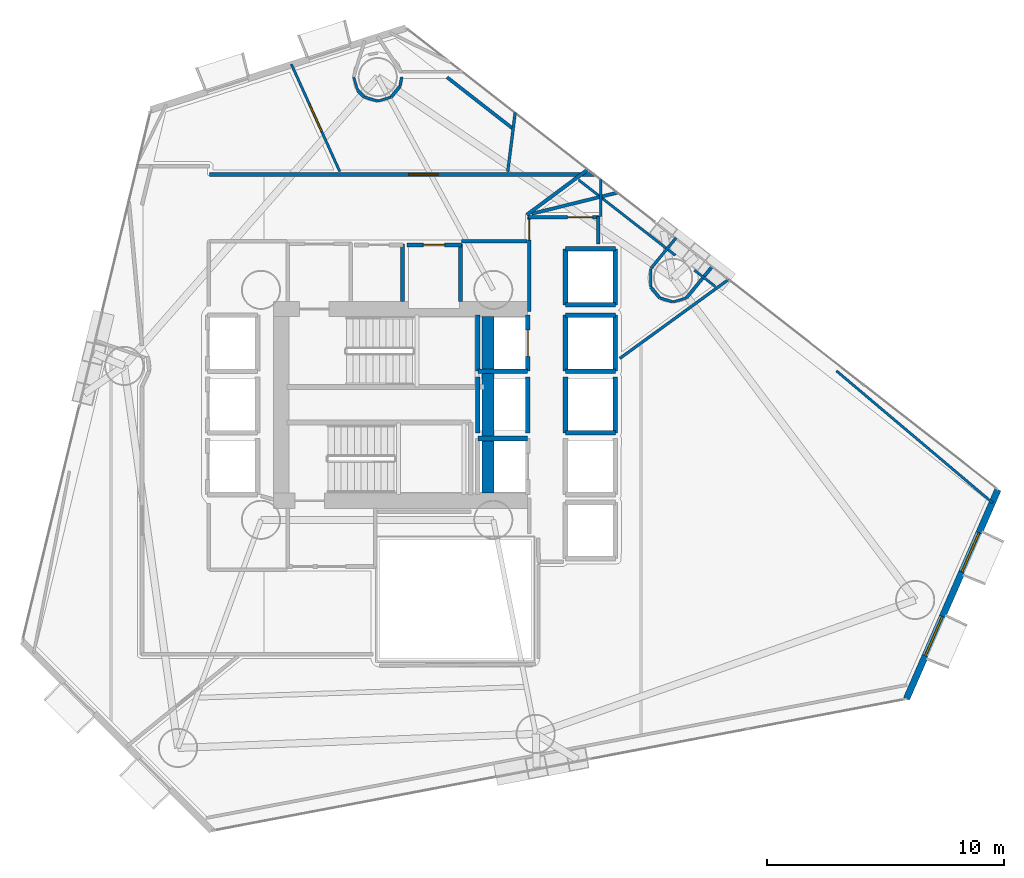
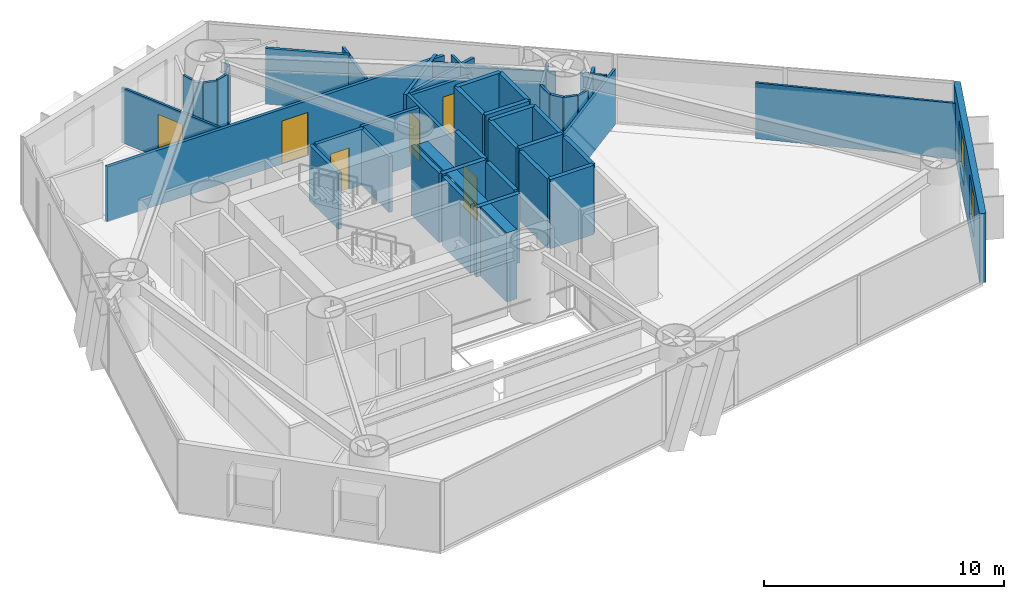
# One storey, part 18 of 23: 49 walls, 6 doors, 2 windows, 8 openings.
"""IFC4 building model written with IfcOpenShell, lengths in metres."""

from ifc_helpers import new_model, si_unit, direction, frame, frame_2d, origin, place, context, subcontext, project, spatial, rectangle, extrude, material, layer, layer_set, type_object, element, fill, save


model = new_model("IFC4")

# Units and contexts
model_context = context("Model", 3, precision=1e-05, world=origin(), true_north=direction((0.0, 1.0)))
body_context = subcontext(model_context, "Body", "Model", "MODEL_VIEW")
ifc_project = project(units=[si_unit("LENGTHUNIT", "METRE"), si_unit("AREAUNIT", "SQUARE_METRE"), si_unit("VOLUMEUNIT", "CUBIC_METRE"), si_unit("PLANEANGLEUNIT", "RADIAN"), si_unit("MASSUNIT", "GRAM", prefix="KILO")], contexts=[model_context])

# Site, building, storey
site_placement = place(None, origin())
site = spatial("IfcSite", under=ifc_project, at=site_placement, CompositionType="ELEMENT")
building_placement = place(site_placement, origin())
building = spatial("IfcBuilding", under=site, at=building_placement, Name="Qianvela Tower", CompositionType="ELEMENT")
storey_placement = place(building_placement, frame((0.0, 0.0, 85.800048828125)))
storey = spatial("IfcBuildingStorey", under=building, at=storey_placement, Name="L21", CompositionType="ELEMENT", Elevation=85.800048828125)

# Wall, openings, windows
ifc_material_1 = material(Name="Terracotta Cladding on Concrete C40", Category="masonry")
ifc_layer_1 = layer(ifc_material_1, 0.280029296875)
ifc_layer_set_1 = layer_set([ifc_layer_1], Name="Terracotta Cladding on Concrete C40")
wall_type_1 = type_object("IfcWallType", Name="TERRACOTTA-WALL-280", PredefinedType="SOLIDWALL", material=ifc_layer_set_1)
wall_1_placement = place(storey_placement, frame((55.830078125, 16.2939453125, 0.0), z_axis=(0.0, 0.0, 1.0), x_axis=(0.400721799371, 0.916199781439, 0.0)))
wall_1 = element("IfcWall", 1, at=wall_1_placement, inside=storey, type_object=wall_type_1, Name="L21 Terracotta Chamfer Facet Wall 1", PredefinedType="SOLIDWALL", context=body_context, shape_type="SweptSolid", body=[
    extrude(rectangle(XDim=9.63525390625, YDim=0.280029296875, at=frame_2d((4.817626953125, 0.0))), origin(), (0.0, 0.0, 1.0), 3.52001953125),
])
opening_1_placement = place(wall_1_placement, frame((1.990478515625, 0.0, 0.85009765625)))
opening_1 = element("IfcOpeningElement", 2, at=opening_1_placement, cuts=wall_1, Name="Opening W-01", PredefinedType="OPENING", context=body_context, shape_type="SweptSolid", body=[
    extrude(rectangle(XDim=1.800048828125, YDim=2.10009765625, at=frame_2d((0.89990234375, 1.050048828125))), frame((0.0, 0.14990234375, 0.0), z_axis=(0.0, -1.0, 0.0), x_axis=(1.0, 0.0, 0.0)), (0.0, 0.0, 1.0), 0.300048828125),
])
opening_2_placement = place(wall_1_placement, frame((5.8447265625, 0.0, 0.85009765625)))
opening_2 = element("IfcOpeningElement", 3, at=opening_2_placement, cuts=wall_1, Name="Opening W-01", PredefinedType="OPENING", context=body_context, shape_type="SweptSolid", body=[
    extrude(rectangle(XDim=1.800048828125, YDim=2.10009765625, at=frame_2d((0.89990234375, 1.050048828125))), frame((0.0, 0.14990234375, 0.0), z_axis=(0.0, -1.0, 0.0), x_axis=(1.0, 0.0, 0.0)), (0.0, 0.0, 1.0), 0.300048828125),
])
ifc_material_2 = material(Name="Thermally Broken Aluminium and Low-E Glass", Category="aluminium")
window_type = type_object("IfcWindowType", Name="WIN-TC-1800x2100", PartitioningType="DOUBLE_PANEL_VERTICAL", PredefinedType="WINDOW", material=ifc_material_2)
window_1_placement = place(opening_1_placement, origin())
window_1 = element("IfcWindow", 4, at=window_1_placement, inside=storey, type_object=window_type, Name="L21 Chamfer Facet Window 1.1", OverallHeight=2.10009765625, OverallWidth=1.800048828125, PartitioningType="SINGLE_PANEL", PredefinedType="WINDOW", context=body_context, shape_type="SweptSolid", body=[
    extrude(rectangle(XDim=1.800048828125, YDim=2.10009765625, at=frame_2d((0.89990234375, 1.050048828125))), frame((0.0, 0.030029296875, 0.0), z_axis=(0.0, -1.0, 0.0), x_axis=(1.0, 0.0, 0.0)), (0.0, 0.0, 1.0), 0.06005859375),
])
fill(opening_1, window_1)
window_2_placement = place(opening_2_placement, origin())
window_2 = element("IfcWindow", 5, at=window_2_placement, inside=storey, type_object=window_type, Name="L21 Chamfer Facet Window 1.2", OverallHeight=2.10009765625, OverallWidth=1.800048828125, PartitioningType="SINGLE_PANEL", PredefinedType="WINDOW", context=body_context, shape_type="SweptSolid", body=[
    extrude(rectangle(XDim=1.800048828125, YDim=2.10009765625, at=frame_2d((0.89990234375, 1.050048828125))), frame((0.0, 0.030029296875, 0.0), z_axis=(0.0, -1.0, 0.0), x_axis=(1.0, 0.0, 0.0)), (0.0, 0.0, 1.0), 0.06005859375),
])
fill(opening_2, window_2)

# Wall
ifc_material_3 = material(Name="Concrete C60", Category="concrete")
ifc_layer_2 = layer(ifc_material_3, 0.64990234375)
ifc_layer_set_2 = layer_set([ifc_layer_2], Name="Concrete C60")
wall_type_2 = type_object("IfcWallType", Name="WT-CORE-650", PredefinedType="SHEAR", material=ifc_layer_set_2)
wall_2_placement = place(storey_placement, frame((38.179931640625, 24.97998046875, 0.0), z_axis=(0.0, 0.0, 1.0), x_axis=(0.0, 1.0, 0.0)))
element("IfcWall", 6, at=wall_2_placement, inside=storey, type_object=wall_type_2, Name="L21 East Spine Core Shear Wall", PredefinedType="SHEAR", context=body_context, shape_type="SweptSolid", body=[
    extrude(rectangle(XDim=7.43994140625, YDim=0.5, at=frame_2d((3.719970703125, 0.0))), origin(), (0.0, 0.0, 1.0), 3.52001953125),
])

# Wall, opening, door
ifc_material_4 = material(Name="Fire-Rated Acoustic Gypsum Board")
ifc_layer_3 = layer(ifc_material_4, 0.14990234375)
ifc_layer_set_3 = layer_set([ifc_layer_3], Name="Fire-Rated Acoustic Gypsum Board")
wall_type_3 = type_object("IfcWallType", Name="WT-CORR-150", PredefinedType="PARTITIONING", material=ifc_layer_set_3)
wall_3_placement = place(storey_placement, frame((39.910888671875, 32.639892578125, 0.0), z_axis=(0.0, 0.0, 1.0), x_axis=(0.0, 1.0, 0.0)))
wall_3 = element("IfcWall", 7, at=wall_3_placement, inside=storey, type_object=wall_type_3, Name="L21 Partition 10", PredefinedType="PARTITIONING", context=body_context, shape_type="SweptSolid", body=[
    extrude(rectangle(XDim=4.010009765625, YDim=0.14990234375, at=frame_2d((2.0048828125, 0.0))), origin(), (0.0, 0.0, 1.0), 2.83984375),
])
opening_3_placement = place(wall_3_placement, frame((3.010009765625, 0.0, 0.0)))
opening_3 = element("IfcOpeningElement", 8, at=opening_3_placement, cuts=wall_3, Name="Opening D-LB2", PredefinedType="OPENING", context=body_context, shape_type="SweptSolid", body=[
    extrude(rectangle(XDim=0.860107421875, YDim=2.050048828125, at=frame_2d((0.43017578125, 1.02490234375))), frame((0.0, 0.0849609375, 0.0), z_axis=(0.0, -1.0, 0.0), x_axis=(1.0, 0.0, 0.0)), (0.0, 0.0, 1.0), 0.169921875),
])
ifc_material_5 = material(Name="Insulated Steel Fire Door Q355B", Category="steel")
door_type_1 = type_object("IfcDoorType", Name="DT-LOBBY-FD90-860", OperationType="NOTDEFINED", PredefinedType="DOOR", material=ifc_material_5)
door_1_placement = place(opening_3_placement, origin())
door_1 = element("IfcDoor", 9, at=door_1_placement, inside=storey, type_object=door_type_1, Name="L21 Door L21 Lift Lobby to L21 Floor Corridor", OperationType="SINGLE_SWING_RIGHT", OverallHeight=2.050048828125, OverallWidth=0.860107421875, PredefinedType="DOOR", context=body_context, shape_type="SweptSolid", body=[
    extrude(rectangle(XDim=0.860107421875, YDim=2.050048828125, at=frame_2d((0.43017578125, 1.02490234375))), frame((0.0, 0.02490234375, 0.0), z_axis=(0.0, -1.0, 0.0), x_axis=(1.0, 0.0, 0.0)), (0.0, 0.0, 1.0), 0.050048828125),
])
fill(opening_3, door_1)

wall_4_placement = place(storey_placement, frame((39.8798828125, 36.618896484375, 0.0), z_axis=(0.0, 0.0, 1.0), x_axis=(1.0, 0.0, 0.0)))
wall_4 = element("IfcWall", 10, at=wall_4_placement, inside=storey, type_object=wall_type_3, Name="L21 Partition 11", PredefinedType="PARTITIONING", context=body_context, shape_type="SweptSolid", body=[
    extrude(rectangle(XDim=2.97021484375, YDim=0.14990234375, at=frame_2d((1.485107421875, 0.0))), origin(), (0.0, 0.0, 1.0), 2.7978515625),
])
opening_4_placement = place(wall_4_placement, frame((1.659912109375, 0.0, 0.0)))
opening_4 = element("IfcOpeningElement", 11, at=opening_4_placement, cuts=wall_4, Name="Opening D-PL1", PredefinedType="OPENING", context=body_context, shape_type="SweptSolid", body=[
    extrude(rectangle(XDim=1.050048828125, YDim=2.14990234375, at=frame_2d((0.52490234375, 1.074951171875))), frame((0.0, 0.0849609375, 0.0), z_axis=(0.0, -1.0, 0.0), x_axis=(1.0, 0.0, 0.0)), (0.0, 0.0, 1.0), 0.169921875),
])
ifc_material_6 = material(Name="Insulated Steel Fire Door Q355B", Category="steel")
door_type_2 = type_object("IfcDoorType", Name="DT-PLANT-FD90", OperationType="NOTDEFINED", PredefinedType="DOOR", material=ifc_material_6)
door_2_placement = place(opening_4_placement, origin())
door_2 = element("IfcDoor", 12, at=door_2_placement, inside=storey, type_object=door_type_2, Name="L21 Door Academic Cellular Office L21-03 to L21 Lift Lobby", OperationType="SINGLE_SWING_LEFT", OverallHeight=2.14990234375, OverallWidth=1.050048828125, PredefinedType="DOOR", context=body_context, shape_type="SweptSolid", body=[
    extrude(rectangle(XDim=1.050048828125, YDim=2.14990234375, at=frame_2d((0.52490234375, 1.074951171875))), frame((0.0, 0.02490234375, 0.0), z_axis=(0.0, -1.0, 0.0), x_axis=(1.0, 0.0, 0.0)), (0.0, 0.0, 1.0), 0.050048828125),
])
fill(opening_4, door_2)

# Wall
wall_5_placement = place(storey_placement, frame((42.819091796875, 36.64990234375, 0.0), z_axis=(0.0, 0.0, 1.0), x_axis=(0.0, -1.0, 0.0)))
element("IfcWall", 13, at=wall_5_placement, inside=storey, type_object=wall_type_3, Name="L21 Partition 12", PredefinedType="PARTITIONING", context=body_context, shape_type="SweptSolid", body=[
    extrude(rectangle(XDim=1.169921875, YDim=0.14990234375, at=frame_2d((0.5849609375, 0.0))), origin(), (0.0, 0.0, 1.0), 2.7978515625),
])

# Wall, opening, door
wall_6_placement = place(storey_placement, frame((26.419921875, 38.4189453125, 0.0), z_axis=(0.0, 0.0, 1.0), x_axis=(1.0, 0.0, 0.0)))
wall_6 = element("IfcWall", 14, at=wall_6_placement, inside=storey, type_object=wall_type_3, Name="L21 Partition 42", PredefinedType="PARTITIONING", context=body_context, shape_type="SweptSolid", body=[
    extrude(rectangle(XDim=16.242919921875, YDim=0.14990234375, at=frame_2d((8.12158203125, 0.0))), origin(), (0.0, 0.0, 1.0), 2.7978515625),
])
opening_5_placement = place(wall_6_placement, frame((8.406494140625, 0.0, 0.0)))
opening_5 = element("IfcOpeningElement", 15, at=opening_5_placement, cuts=wall_6, Name="Opening D-LG1", PredefinedType="OPENING", context=body_context, shape_type="SweptSolid", body=[
    extrude(rectangle(XDim=1.25, YDim=2.199951171875, at=frame_2d((0.625, 1.10009765625))), frame((0.0, 0.0849609375, 0.0), z_axis=(0.0, -1.0, 0.0), x_axis=(1.0, 0.0, 0.0)), (0.0, 0.0, 1.0), 0.169921875),
])
ifc_material_7 = material(Name="Anodised Aluminium Acoustic Glass Door", Category="aluminium")
door_type_3 = type_object("IfcDoorType", Name="DT-LOUNGE-1250", OperationType="NOTDEFINED", PredefinedType="DOOR", material=ifc_material_7)
door_3_placement = place(opening_5_placement, origin())
door_3 = element("IfcDoor", 16, at=door_3_placement, inside=storey, type_object=door_type_3, Name="L21 Door Campus Convenience Shop L21-04 to L21 Floor Corridor", OperationType="SINGLE_SWING_RIGHT", OverallHeight=2.199951171875, OverallWidth=1.25, PredefinedType="DOOR", context=body_context, shape_type="SweptSolid", body=[
    extrude(rectangle(XDim=1.25, YDim=2.199951171875, at=frame_2d((0.625, 1.10009765625))), frame((0.0, 0.02490234375, 0.0), z_axis=(0.0, -1.0, 0.0), x_axis=(1.0, 0.0, 0.0)), (0.0, 0.0, 1.0), 0.050048828125),
])
fill(opening_5, door_3)

# Walls
wall_7_placement = place(storey_placement, frame((42.3984375, 38.634033203125, 0.0), z_axis=(0.0, 0.0, 1.0), x_axis=(-0.802766662885, -0.596293287704, 0.0)))
element("IfcWall", 17, at=wall_7_placement, inside=storey, type_object=wall_type_3, Name="L21 Partition 43", PredefinedType="PARTITIONING", context=body_context, shape_type="SweptSolid", body=[
    extrude(rectangle(XDim=3.2197265625, YDim=0.14990234375, at=frame_2d((1.60986328125, 0.0))), origin(), (0.0, 0.0, 1.0), 2.7978515625),
])
wall_8_placement = place(storey_placement, frame((39.818115234375, 35.611083984375, 0.0), z_axis=(0.0, 0.0, 1.0), x_axis=(-1.0, 0.0, 0.0)))
element("IfcWall", 18, at=wall_8_placement, inside=storey, type_object=wall_type_3, Name="L21 Partition 45 seg 1", PredefinedType="PARTITIONING", context=body_context, shape_type="SweptSolid", body=[
    extrude(rectangle(XDim=2.76806640625, YDim=0.14990234375, at=frame_2d((1.384033203125, 0.0))), origin(), (0.0, 0.0, 1.0), 2.83984375),
])
ifc_material_8 = material(Name="Lightweight Gypsum Room Partition")
ifc_layer_4 = layer(ifc_material_8, 0.10498046875)
ifc_layer_set_4 = layer_set([ifc_layer_4], Name="Lightweight Gypsum Room Partition")
wall_type_4 = type_object("IfcWallType", Name="WT-PART-105", PredefinedType="PARTITIONING", material=ifc_layer_set_4)
wall_9_placement = place(storey_placement, frame((52.87939453125, 30.130615234375, 0.0), z_axis=(0.0, 0.0, 1.0), x_axis=(0.763953946227, -0.645270771106, 0.0)))
element("IfcWall", 19, at=wall_9_placement, inside=storey, type_object=wall_type_4, Name="L21 Partition 73 seg 1", PredefinedType="PARTITIONING", context=body_context, shape_type="SweptSolid", body=[
    extrude(rectangle(XDim=8.625244140625, YDim=0.10498046875, at=frame_2d((4.3125, 0.0))), origin(), (0.0, 0.0, 1.0), 2.83984375),
])
wall_10_placement = place(storey_placement, frame((42.943115234375, 36.64990234375, 0.0), z_axis=(0.0, 0.0, 1.0), x_axis=(-0.005939251293, 0.999982362491, 0.0)))
element("IfcWall", 20, at=wall_10_placement, inside=storey, type_object=wall_type_4, Name="L21 Partition 79 seg 2", PredefinedType="PARTITIONING", context=body_context, shape_type="SweptSolid", body=[
    extrude(rectangle(XDim=1.56201171875, YDim=0.10498046875, at=frame_2d((0.781005859375, 0.0))), origin(), (0.0, 0.0, 1.0), 2.83984375),
])
wall_11_placement = place(storey_placement, frame((41.997802734375, 38.191650390625, 0.0), z_axis=(0.0, 0.0, 1.0), x_axis=(0.78851647787, -0.615013629221, 0.0)))
element("IfcWall", 21, at=wall_11_placement, inside=storey, type_object=wall_type_4, Name="L21 Partition 82", PredefinedType="PARTITIONING", context=body_context, shape_type="SweptSolid", body=[
    extrude(rectangle(XDim=5.1796875, YDim=0.10498046875, at=frame_2d((2.58984375, 0.0))), origin(), (0.0, 0.0, 1.0), 2.7978515625),
])
wall_12_placement = place(storey_placement, frame((45.04296875, 34.433837890625, 0.0), z_axis=(0.0, 0.0, 1.0), x_axis=(0.0, -1.0, 0.0)))
element("IfcWall", 22, at=wall_12_placement, inside=storey, type_object=wall_type_4, Name="L21 Partition 85", PredefinedType="PARTITIONING", context=body_context, shape_type="SweptSolid", body=[
    extrude(rectangle(XDim=0.753662109375, YDim=0.10498046875, at=frame_2d((0.376953125, 0.0))), origin(), (0.0, 0.0, 1.0), 2.83984375),
])
wall_13_placement = place(storey_placement, frame((45.992919921875, 33.042236328125, 0.0), z_axis=(0.0, 0.0, 1.0), x_axis=(0.956952578659, 0.290244314669, 0.0)))
element("IfcWall", 23, at=wall_13_placement, inside=storey, type_object=wall_type_4, Name="L21 Partition 88", PredefinedType="PARTITIONING", context=body_context, shape_type="SweptSolid", body=[
    extrude(rectangle(XDim=0.572021484375, YDim=0.10498046875, at=frame_2d((0.2861328125, 0.0))), origin(), (0.0, 0.0, 1.0), 2.7978515625),
])
wall_14_placement = place(storey_placement, frame((46.883544921875, 34.380859375, 0.0), z_axis=(0.0, 0.0, 1.0), x_axis=(0.78862657749, -0.614872443094, 0.0)))
element("IfcWall", 24, at=wall_14_placement, inside=storey, type_object=wall_type_4, Name="L21 Partition 91", PredefinedType="PARTITIONING", context=body_context, shape_type="SweptSolid", body=[
    extrude(rectangle(XDim=1.1240234375, YDim=0.10498046875, at=frame_2d((0.56201171875, 0.0))), origin(), (0.0, 0.0, 1.0), 2.83984375),
])

# Wall, opening, door
wall_15_placement = place(storey_placement, frame((31.922607421875, 38.542724609375, 0.0), z_axis=(0.0, 0.0, 1.0), x_axis=(-0.411157401185, 0.911564364952, 0.0)))
wall_15 = element("IfcWall", 25, at=wall_15_placement, inside=storey, type_object=wall_type_4, Name="L21 Partition 94", PredefinedType="PARTITIONING", context=body_context, shape_type="SweptSolid", body=[
    extrude(rectangle(XDim=4.967529296875, YDim=0.10498046875, at=frame_2d((2.48388671875, 0.0))), origin(), (0.0, 0.0, 1.0), 2.7978515625),
])
opening_6_placement = place(wall_15_placement, frame((1.85888671875, 0.0, 0.0)))
opening_6 = element("IfcOpeningElement", 26, at=opening_6_placement, cuts=wall_15, Name="Opening D-LG1", PredefinedType="OPENING", context=body_context, shape_type="SweptSolid", body=[
    extrude(rectangle(XDim=1.25, YDim=2.199951171875, at=frame_2d((0.625, 1.10009765625))), frame((0.0, 0.0625, 0.0), z_axis=(0.0, -1.0, 0.0), x_axis=(1.0, 0.0, 0.0)), (0.0, 0.0, 1.0), 0.125),
])
door_4_placement = place(opening_6_placement, origin())
door_4 = element("IfcDoor", 27, at=door_4_placement, inside=storey, type_object=door_type_3, Name="L21 Door Student Bookshop Market L21-05 to Campus Convenience Shop L21-04", OperationType="SINGLE_SWING_LEFT", OverallHeight=2.199951171875, OverallWidth=1.25, PredefinedType="DOOR", context=body_context, shape_type="SweptSolid", body=[
    extrude(rectangle(XDim=1.25, YDim=2.199951171875, at=frame_2d((0.625, 1.10009765625))), frame((0.0, 0.02490234375, 0.0), z_axis=(0.0, -1.0, 0.0), x_axis=(1.0, 0.0, 0.0)), (0.0, 0.0, 1.0), 0.050048828125),
])
fill(opening_6, door_4)

# Walls
wall_16_placement = place(storey_placement, frame((32.51123046875, 42.52001953125, 0.0), z_axis=(0.0, 0.0, 1.0), x_axis=(0.290362912899, -0.956916599716, 0.0)))
element("IfcWall", 28, at=wall_16_placement, inside=storey, type_object=wall_type_4, Name="L21 Partition 103", PredefinedType="PARTITIONING", context=body_context, shape_type="SweptSolid", body=[
    extrude(rectangle(XDim=0.57177734375, YDim=0.10498046875, at=frame_2d((0.285888671875, 0.0))), origin(), (0.0, 0.0, 1.0), 2.83984375),
])
wall_17_placement = place(storey_placement, frame((33.534912109375, 41.514404296875, 0.0), z_axis=(0.0, 0.0, 1.0), x_axis=(0.956952578659, 0.290244314669, 0.0)))
element("IfcWall", 29, at=wall_17_placement, inside=storey, type_object=wall_type_4, Name="L21 Partition 106", PredefinedType="PARTITIONING", context=body_context, shape_type="SweptSolid", body=[
    extrude(rectangle(XDim=0.572021484375, YDim=0.10498046875, at=frame_2d((0.2861328125, 0.0))), origin(), (0.0, 0.0, 1.0), 2.83984375),
])
ifc_material_9 = material(Name="Insulated Gypsum Stud Partition")
ifc_layer_5 = layer(ifc_material_9, 0.1201171875)
ifc_layer_set_5 = layer_set([ifc_layer_5], Name="Insulated Gypsum Stud Partition")
wall_type_5 = type_object("IfcWallType", Name="WT-PART-120", PredefinedType="PARTITIONING", material=ifc_layer_set_5)
wall_18_placement = place(storey_placement, frame((43.73828125, 30.659423828125, 0.0), z_axis=(0.0, 0.0, 1.0), x_axis=(0.809324205452, 0.587362179979, 0.0)))
element("IfcWall", 30, at=wall_18_placement, inside=storey, type_object=wall_type_5, Name="L21 Partition 72", PredefinedType="PARTITIONING", context=body_context, shape_type="SweptSolid", body=[
    extrude(rectangle(XDim=5.6865234375, YDim=0.1201171875, at=frame_2d((2.84326171875, 0.0))), origin(), (0.0, 0.0, 1.0), 2.7978515625),
])
wall_19_placement = place(storey_placement, frame((46.107421875, 35.7421875, 0.0), z_axis=(0.0, 0.0, 1.0), x_axis=(-0.634345789396, -0.773049428869, 0.0)))
element("IfcWall", 31, at=wall_19_placement, inside=storey, type_object=wall_type_5, Name="L21 Partition 84", PredefinedType="PARTITIONING", context=body_context, shape_type="SweptSolid", body=[
    extrude(rectangle(XDim=1.6669921875, YDim=0.1201171875, at=frame_2d((0.83349609375, 0.0))), origin(), (0.0, 0.0, 1.0), 2.7978515625),
])
wall_20_placement = place(storey_placement, frame((45.427734375, 33.208251953125, 0.0), z_axis=(0.0, 0.0, 1.0), x_axis=(0.956952578659, -0.290244314669, 0.0)))
element("IfcWall", 32, at=wall_20_placement, inside=storey, type_object=wall_type_5, Name="L21 Partition 87", PredefinedType="PARTITIONING", context=body_context, shape_type="SweptSolid", body=[
    extrude(rectangle(XDim=0.572021484375, YDim=0.1201171875, at=frame_2d((0.2861328125, 0.0))), origin(), (0.0, 0.0, 1.0), 2.83984375),
])
wall_21_placement = place(storey_placement, frame((32.9697265625, 41.680419921875, 0.0), z_axis=(0.0, 0.0, 1.0), x_axis=(0.956952578659, -0.290244314669, 0.0)))
element("IfcWall", 33, at=wall_21_placement, inside=storey, type_object=wall_type_5, Name="L21 Partition 105", PredefinedType="PARTITIONING", context=body_context, shape_type="SweptSolid", body=[
    extrude(rectangle(XDim=0.572021484375, YDim=0.1201171875, at=frame_2d((0.2861328125, 0.0))), origin(), (0.0, 0.0, 1.0), 2.7978515625),
])
wall_22_placement = place(storey_placement, frame((34.466552734375, 42.146240234375, 0.0), z_axis=(0.0, 0.0, 1.0), x_axis=(0.188455212737, 0.982081785185, 0.0)))
element("IfcWall", 34, at=wall_22_placement, inside=storey, type_object=wall_type_5, Name="L21 Partition 108", PredefinedType="PARTITIONING", context=body_context, shape_type="SweptSolid", body=[
    extrude(rectangle(XDim=0.392578125, YDim=0.1201171875, at=frame_2d((0.1962890625, 0.0))), origin(), (0.0, 0.0, 1.0), 2.83984375),
])
wall_23_placement = place(storey_placement, frame((39.32470703125, 41.02880859375, 0.0), z_axis=(0.0, 0.0, 1.0), x_axis=(-0.125337063775, -0.992114217439, 0.0)))
element("IfcWall", 35, at=wall_23_placement, inside=storey, type_object=wall_type_5, Name="L21 Partition 111", PredefinedType="PARTITIONING", context=body_context, shape_type="SweptSolid", body=[
    extrude(rectangle(XDim=2.5146484375, YDim=0.1201171875, at=frame_2d((1.25732421875, 0.0))), origin(), (0.0, 0.0, 1.0), 2.7978515625),
])
ifc_material_10 = material(Name="Sanitary Service Chase Partition")
ifc_layer_6 = layer(ifc_material_10, 0.1650390625)
ifc_layer_set_6 = layer_set([ifc_layer_6], Name="Sanitary Service Chase Partition")
wall_type_6 = type_object("IfcWallType", Name="WT-PLUMB-165", PredefinedType="PLUMBINGWALL", material=ifc_layer_set_6)
wall_24_placement = place(storey_placement, frame((34.569091796875, 35.47998046875, 0.0), z_axis=(0.0, 0.0, 1.0), x_axis=(0.0, -1.0, 0.0)))
element("IfcWall", 36, at=wall_24_placement, inside=storey, type_object=wall_type_6, Name="L21 Partition 21", PredefinedType="PLUMBINGWALL", context=body_context, shape_type="SweptSolid", body=[
    extrude(rectangle(XDim=2.421875, YDim=0.1650390625, at=frame_2d((1.2109375, 0.0))), origin(), (0.0, 0.0, 1.0), 2.83984375),
])

# Wall, opening, door
wall_25_placement = place(storey_placement, frame((34.75, 35.448974609375, 0.0), z_axis=(0.0, 0.0, 1.0), x_axis=(1.0, 0.0, 0.0)))
wall_25 = element("IfcWall", 37, at=wall_25_placement, inside=storey, type_object=wall_type_6, Name="L21 Partition 24", PredefinedType="PLUMBINGWALL", context=body_context, shape_type="SweptSolid", body=[
    extrude(rectangle(XDim=2.300048828125, YDim=0.1650390625, at=frame_2d((1.14990234375, 0.0))), origin(), (0.0, 0.0, 1.0), 2.83984375),
])
opening_7_placement = place(wall_25_placement, frame((0.699951171875, 0.0, 0.0)))
opening_7 = element("IfcOpeningElement", 38, at=opening_7_placement, cuts=wall_25, Name="Opening D-KT1", PredefinedType="OPENING", context=body_context, shape_type="SweptSolid", body=[
    extrude(rectangle(XDim=0.89990234375, YDim=2.10009765625, at=frame_2d((0.449951171875, 1.050048828125))), frame((0.0, 0.092529296875, 0.0), z_axis=(0.0, -1.0, 0.0), x_axis=(1.0, 0.0, 0.0)), (0.0, 0.0, 1.0), 0.18505859375),
])
ifc_material_11 = material(Name="Glazed Timber Kitchen Door", Category="wood")
door_type_4 = type_object("IfcDoorType", Name="DT-KITCH-900", OperationType="NOTDEFINED", PredefinedType="DOOR", material=ifc_material_11)
door_5_placement = place(opening_7_placement, origin())
door_5 = element("IfcDoor", 39, at=door_5_placement, inside=storey, type_object=door_type_4, Name="L21 Door L21 Core Tea Pantry to L21 Floor Corridor", OperationType="SINGLE_SWING_RIGHT", OverallHeight=2.10009765625, OverallWidth=0.89990234375, PredefinedType="DOOR", context=body_context, shape_type="SweptSolid", body=[
    extrude(rectangle(XDim=0.89990234375, YDim=2.10009765625, at=frame_2d((0.449951171875, 1.050048828125))), frame((0.0, 0.02490234375, 0.0), z_axis=(0.0, -1.0, 0.0), x_axis=(1.0, 0.0, 0.0)), (0.0, 0.0, 1.0), 0.050048828125),
])
fill(opening_7, door_5)

# Walls
wall_26_placement = place(storey_placement, frame((37.01904296875, 35.47998046875, 0.0), z_axis=(0.0, 0.0, 1.0), x_axis=(0.0, -1.0, 0.0)))
element("IfcWall", 40, at=wall_26_placement, inside=storey, type_object=wall_type_6, Name="L21 Partition 25", PredefinedType="PLUMBINGWALL", context=body_context, shape_type="SweptSolid", body=[
    extrude(rectangle(XDim=2.421875, YDim=0.1650390625, at=frame_2d((1.2109375, 0.0))), origin(), (0.0, 0.0, 1.0), 2.83984375),
])
ifc_material_12 = material(Name="Acoustic Double Gypsum Stud Partition")
ifc_layer_7 = layer(ifc_material_12, 0.139892578125)
ifc_layer_set_7 = layer_set([ifc_layer_7], Name="Acoustic Double Gypsum Stud Partition")
wall_type_7 = type_object("IfcWallType", Name="WT-ROOM-140", PredefinedType="PARTITIONING", material=ifc_layer_set_7)
wall_27_placement = place(storey_placement, frame((43.628662109375, 37.650146484375, 0.0), z_axis=(0.0, 0.0, 1.0), x_axis=(-0.970941159408, -0.239318333958, 0.0)))
element("IfcWall", 41, at=wall_27_placement, inside=storey, type_object=wall_type_7, Name="L21 Partition 80", PredefinedType="PARTITIONING", context=body_context, shape_type="SweptSolid", body=[
    extrude(rectangle(XDim=3.71533203125, YDim=0.139892578125, at=frame_2d((1.857666015625, 0.0))), origin(), (0.0, 0.0, 1.0), 2.7978515625),
])
wall_28_placement = place(storey_placement, frame((45.050048828125, 33.660400390625, 0.0), z_axis=(0.0, 0.0, 1.0), x_axis=(0.634329694458, -0.773062635709, 0.0)))
element("IfcWall", 42, at=wall_28_placement, inside=storey, type_object=wall_type_7, Name="L21 Partition 86", PredefinedType="PARTITIONING", context=body_context, shape_type="SweptSolid", body=[
    extrude(rectangle(XDim=0.572021484375, YDim=0.139892578125, at=frame_2d((0.2861328125, 0.0))), origin(), (0.0, 0.0, 1.0), 2.83984375),
])
wall_29_placement = place(storey_placement, frame((46.55517578125, 33.21826171875, 0.0), z_axis=(0.0, 0.0, 1.0), x_axis=(0.634384225062, 0.773017887887, 0.0)))
element("IfcWall", 43, at=wall_29_placement, inside=storey, type_object=wall_type_7, Name="L21 Partition 89", PredefinedType="PARTITIONING", context=body_context, shape_type="SweptSolid", body=[
    extrude(rectangle(XDim=1.71533203125, YDim=0.139892578125, at=frame_2d((0.857666015625, 0.0))), origin(), (0.0, 0.0, 1.0), 2.7978515625),
])
wall_30_placement = place(storey_placement, frame((32.68505859375, 41.959716796875, 0.0), z_axis=(0.0, 0.0, 1.0), x_axis=(0.707106781187, -0.707106781187, 0.0)))
element("IfcWall", 44, at=wall_30_placement, inside=storey, type_object=wall_type_7, Name="L21 Partition 104", PredefinedType="PARTITIONING", context=body_context, shape_type="SweptSolid", body=[
    extrude(rectangle(XDim=0.38427734375, YDim=0.139892578125, at=frame_2d((0.192138671875, 0.0))), origin(), (0.0, 0.0, 1.0), 2.7978515625),
])
wall_31_placement = place(storey_placement, frame((34.09716796875, 41.690185546875, 0.0), z_axis=(0.0, 0.0, 1.0), x_axis=(0.634329694458, 0.773062635709, 0.0)))
element("IfcWall", 45, at=wall_31_placement, inside=storey, type_object=wall_type_7, Name="L21 Partition 107", PredefinedType="PARTITIONING", context=body_context, shape_type="SweptSolid", body=[
    extrude(rectangle(XDim=0.572021484375, YDim=0.139892578125, at=frame_2d((0.2861328125, 0.0))), origin(), (0.0, 0.0, 1.0), 2.7978515625),
])
wall_32_placement = place(storey_placement, frame((36.450927734375, 42.51806640625, 0.0), z_axis=(0.0, 0.0, 1.0), x_axis=(0.78849297464, -0.615043761812, 0.0)))
element("IfcWall", 46, at=wall_32_placement, inside=storey, type_object=wall_type_7, Name="L21 Partition 110", PredefinedType="PARTITIONING", context=body_context, shape_type="SweptSolid", body=[
    extrude(rectangle(XDim=3.552734375, YDim=0.139892578125, at=frame_2d((1.7763671875, 0.0))), origin(), (0.0, 0.0, 1.0), 2.83984375),
])

# Wall, opening, door
ifc_material_13 = material(Name="Concrete C50", Category="concrete")
ifc_layer_8 = layer(ifc_material_13, 0.199951171875)
ifc_layer_set_8 = layer_set([ifc_layer_8], Name="Concrete C50")
wall_type_8 = type_object("IfcWallType", Name="WT-SHAFT-200", PredefinedType="SOLIDWALL", material=ifc_layer_set_8)
wall_33_placement = place(storey_placement, frame((39.85009765625, 30.1201171875, 0.0), z_axis=(0.0, 0.0, 1.0), x_axis=(0.0, 1.0, 0.0)))
wall_33 = element("IfcWall", 47, at=wall_33_placement, inside=storey, type_object=wall_type_8, Name="L21 Lift FL-1 E Shaft Wall", PredefinedType="SOLIDWALL", context=body_context, shape_type="SweptSolid", body=[
    extrude(rectangle(XDim=2.35986328125, YDim=0.199951171875, at=frame_2d((1.179931640625, 0.0))), origin(), (0.0, 0.0, 1.0), 3.52001953125),
])
opening_8_placement = place(wall_33_placement, frame((0.6298828125, 0.0, 0.0)))
opening_8 = element("IfcOpeningElement", 48, at=opening_8_placement, cuts=wall_33, Name="Opening LD-01", PredefinedType="OPENING", context=body_context, shape_type="SweptSolid", body=[
    extrude(rectangle(XDim=1.10009765625, YDim=2.14990234375, at=frame_2d((0.550048828125, 1.074951171875))), frame((0.0, 0.10986328125, 0.0), z_axis=(0.0, -1.0, 0.0), x_axis=(1.0, 0.0, 0.0)), (0.0, 0.0, 1.0), 0.219970703125),
])
ifc_material_14 = material(Name="Brushed Stainless Steel Lift Landing Door", Category="steel")
door_type_5 = type_object("IfcDoorType", Name="DT-LIFT-SLIDE-1100", OperationType="SLIDING_TO_LEFT", PredefinedType="DOOR", material=ifc_material_14)
door_6_placement = place(opening_8_placement, origin())
door_6 = element("IfcDoor", 49, at=door_6_placement, inside=storey, type_object=door_type_5, Name="L21 Lift FL-1 Sliding Landing Door", OperationType="SLIDING_TO_LEFT", OverallHeight=2.14990234375, OverallWidth=1.10009765625, PredefinedType="DOOR", context=body_context, shape_type="SweptSolid", body=[
    extrude(rectangle(XDim=1.10009765625, YDim=2.14990234375, at=frame_2d((0.550048828125, 1.074951171875))), frame((0.0, 0.02490234375, 0.0), z_axis=(0.0, -1.0, 0.0), x_axis=(1.0, 0.0, 0.0)), (0.0, 0.0, 1.0), 0.050048828125),
])
fill(opening_8, door_6)

# Walls
wall_34_placement = place(storey_placement, frame((37.75, 30.1201171875, 0.0), z_axis=(0.0, 0.0, 1.0), x_axis=(0.0, 1.0, 0.0)))
element("IfcWall", 50, at=wall_34_placement, inside=storey, type_object=wall_type_8, Name="L21 Lift FL-1 W Shaft Wall", PredefinedType="SOLIDWALL", context=body_context, shape_type="SweptSolid", body=[
    extrude(rectangle(XDim=2.35986328125, YDim=0.199951171875, at=frame_2d((1.179931640625, 0.0))), origin(), (0.0, 0.0, 1.0), 3.52001953125),
])
for number, where, z_axis, x_axis, name in (
    (51, (37.75, 30.1201171875, 0.0), (0.0, 0.0, 1.0), (1.0, 0.0, 0.0), "L21 Lift FL-1 S Shaft Wall"),
    (52, (37.75, 27.280029296875, 0.0), (0.0, 0.0, 1.0), (1.0, 0.0, 0.0), "L21 Lift FL-2 N Shaft Wall"),
):
    element("IfcWall", number, at=place(storey_placement, frame(where, z_axis=z_axis, x_axis=x_axis)), inside=storey, type_object=wall_type_8, Name=name, PredefinedType="SOLIDWALL", context=body_context, shape_type="SweptSolid", body=[
        extrude(rectangle(XDim=2.10009765625, YDim=0.199951171875, at=frame_2d((1.050048828125, 0.0))), origin(), (0.0, 0.0, 1.0), 3.52001953125),
    ])
for number, where, z_axis, x_axis, name in (
    (53, (43.550048828125, 30.1201171875, 0.0), (0.0, 0.0, 1.0), (0.0, 1.0, 0.0), "L21 Lift PL-M1 E Shaft Wall"),
    (54, (41.449951171875, 30.1201171875, 0.0), (0.0, 0.0, 1.0), (0.0, 1.0, 0.0), "L21 Lift PL-M1 W Shaft Wall"),
):
    element("IfcWall", number, at=place(storey_placement, frame(where, z_axis=z_axis, x_axis=x_axis)), inside=storey, type_object=wall_type_8, Name=name, PredefinedType="SOLIDWALL", context=body_context, shape_type="SweptSolid", body=[
        extrude(rectangle(XDim=2.35986328125, YDim=0.199951171875, at=frame_2d((1.179931640625, 0.0))), origin(), (0.0, 0.0, 1.0), 3.52001953125),
    ])
for number, where, z_axis, x_axis, name in (
    (55, (41.449951171875, 32.47998046875, 0.0), (0.0, 0.0, 1.0), (1.0, 0.0, 0.0), "L21 Lift PL-M1 N Shaft Wall"),
    (56, (41.449951171875, 30.1201171875, 0.0), (0.0, 0.0, 1.0), (1.0, 0.0, 0.0), "L21 Lift PL-M1 S Shaft Wall"),
):
    element("IfcWall", number, at=place(storey_placement, frame(where, z_axis=z_axis, x_axis=x_axis)), inside=storey, type_object=wall_type_8, Name=name, PredefinedType="SOLIDWALL", context=body_context, shape_type="SweptSolid", body=[
        extrude(rectangle(XDim=2.10009765625, YDim=0.199951171875, at=frame_2d((1.050048828125, 0.0))), origin(), (0.0, 0.0, 1.0), 3.52001953125),
    ])
for number, where, z_axis, x_axis, name in (
    (57, (43.550048828125, 27.52001953125, 0.0), (0.0, 0.0, 1.0), (0.0, 1.0, 0.0), "L21 Lift PL-M2 E Shaft Wall"),
    (58, (41.449951171875, 27.52001953125, 0.0), (0.0, 0.0, 1.0), (0.0, 1.0, 0.0), "L21 Lift PL-M2 W Shaft Wall"),
):
    element("IfcWall", number, at=place(storey_placement, frame(where, z_axis=z_axis, x_axis=x_axis)), inside=storey, type_object=wall_type_8, Name=name, PredefinedType="SOLIDWALL", context=body_context, shape_type="SweptSolid", body=[
        extrude(rectangle(XDim=2.35986328125, YDim=0.199951171875, at=frame_2d((1.179931640625, 0.0))), origin(), (0.0, 0.0, 1.0), 3.52001953125),
    ])
wall_35_placement = place(storey_placement, frame((41.449951171875, 27.52001953125, 0.0), z_axis=(0.0, 0.0, 1.0), x_axis=(1.0, 0.0, 0.0)))
element("IfcWall", 59, at=wall_35_placement, inside=storey, type_object=wall_type_8, Name="L21 Lift PL-M2 S Shaft Wall", PredefinedType="SOLIDWALL", context=body_context, shape_type="SweptSolid", body=[
    extrude(rectangle(XDim=2.10009765625, YDim=0.199951171875, at=frame_2d((1.050048828125, 0.0))), origin(), (0.0, 0.0, 1.0), 3.52001953125),
])
for number, where, z_axis, x_axis, name in (
    (60, (39.85009765625, 27.52001953125, 0.0), (0.0, 0.0, 1.0), (0.0, 1.0, 0.0), "L21 Lift PL-H1 E Shaft Wall"),
    (61, (37.75, 27.52001953125, 0.0), (0.0, 0.0, 1.0), (0.0, 1.0, 0.0), "L21 Lift PL-H1 W Shaft Wall"),
):
    element("IfcWall", number, at=place(storey_placement, frame(where, z_axis=z_axis, x_axis=x_axis)), inside=storey, type_object=wall_type_8, Name=name, PredefinedType="SOLIDWALL", context=body_context, shape_type="SweptSolid", body=[
        extrude(rectangle(XDim=2.35986328125, YDim=0.199951171875, at=frame_2d((1.179931640625, 0.0))), origin(), (0.0, 0.0, 1.0), 3.52001953125),
    ])
for number, where, z_axis, x_axis, name in (
    (62, (43.550048828125, 32.919921875, 0.0), (0.0, 0.0, 1.0), (0.0, 1.0, 0.0), "L21 Lift PL-H3 E Shaft Wall"),
    (63, (41.449951171875, 32.919921875, 0.0), (0.0, 0.0, 1.0), (0.0, 1.0, 0.0), "L21 Lift PL-H3 W Shaft Wall"),
):
    element("IfcWall", number, at=place(storey_placement, frame(where, z_axis=z_axis, x_axis=x_axis)), inside=storey, type_object=wall_type_8, Name=name, PredefinedType="SOLIDWALL", context=body_context, shape_type="SweptSolid", body=[
        extrude(rectangle(XDim=2.360107421875, YDim=0.199951171875, at=frame_2d((1.18017578125, 0.0))), origin(), (0.0, 0.0, 1.0), 3.52001953125),
    ])
for number, where, z_axis, x_axis, name in (
    (64, (41.449951171875, 35.280029296875, 0.0), (0.0, 0.0, 1.0), (1.0, 0.0, 0.0), "L21 Lift PL-H3 N Shaft Wall"),
    (65, (41.449951171875, 32.919921875, 0.0), (0.0, 0.0, 1.0), (1.0, 0.0, 0.0), "L21 Lift PL-H3 S Shaft Wall"),
):
    element("IfcWall", number, at=place(storey_placement, frame(where, z_axis=z_axis, x_axis=x_axis)), inside=storey, type_object=wall_type_8, Name=name, PredefinedType="SOLIDWALL", context=body_context, shape_type="SweptSolid", body=[
        extrude(rectangle(XDim=2.10009765625, YDim=0.199951171875, at=frame_2d((1.050048828125, 0.0))), origin(), (0.0, 0.0, 1.0), 3.52001953125),
    ])

save(model, "model.ifc")
